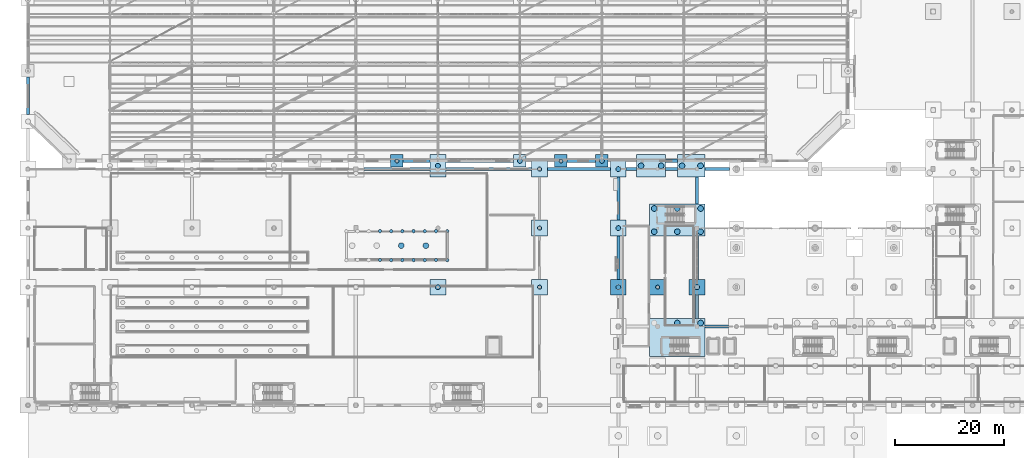
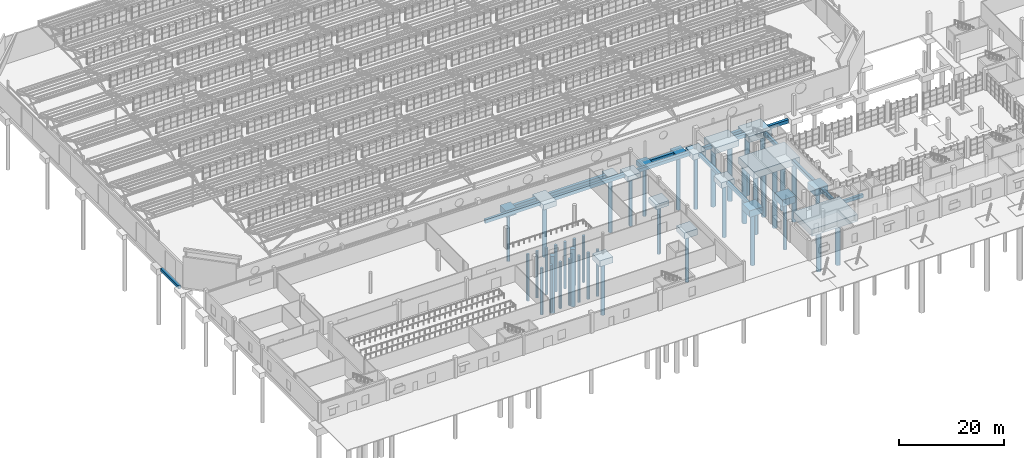
# One storey, part 3 of 285: 42 piles, 35 footings.
"""IFC4 building model written with IfcOpenShell, lengths in metres."""

from ifc_helpers import new_model, si_unit, direction, frame, origin, origin_2d, place, context, subcontext, project, spatial, polyline, circle, outline, extrude, material, material_profile, profile_set, type_object, element, save


model = new_model("IFC4")

# Units and contexts
model_context = context("Model", 3, precision=1e-05, world=origin(), true_north=direction((0.0, 1.0)))
body_context = subcontext(model_context, "Body", "Model", "MODEL_VIEW")
ifc_project = project(units=[si_unit("LENGTHUNIT", "METRE"), si_unit("AREAUNIT", "SQUARE_METRE"), si_unit("VOLUMEUNIT", "CUBIC_METRE"), si_unit("PLANEANGLEUNIT", "RADIAN"), si_unit("MASSUNIT", "GRAM", prefix="KILO")], contexts=[model_context])

# Site, building, storey
site_placement = place(None, origin())
site = spatial("IfcSite", under=ifc_project, at=site_placement, CompositionType="ELEMENT")
building_placement = place(site_placement, origin())
building = spatial("IfcBuilding", under=site, at=building_placement, Name="Solanera Park Tramway Depot", CompositionType="ELEMENT")
storey_placement = place(building_placement, origin())
storey = spatial("IfcBuildingStorey", under=building, at=storey_placement, Name="L00", CompositionType="ELEMENT", Elevation=0.0)

# Footings
ifc_material_1 = material(Name="Concrete N40 (C40/50)", Category="concrete")
footing_type_1 = type_object("IfcFootingType", Name="Bored Pile Cap PC-07 4200x2900x1250", PredefinedType="PILE_CAP", material=ifc_material_1)
footing_1_placement = place(storey_placement, frame((0.0, 0.0, -1.699951171875)))
element("IfcFooting", 1, at=footing_1_placement, inside=storey, type_object=footing_type_1, Name="Pile Cap PC-07 #104", PredefinedType="PILE_CAP", context=body_context, shape_type="SweptSolid", body=[
    extrude(outline(polyline([(76.449951171875, 52.550048828125), (76.449951171875, 56.64990234375), (73.550048828125, 56.64990234375), (73.550048828125, 52.550048828125), (76.449951171875, 52.550048828125)])), origin(), (0.0, 0.0, 1.0), 1.25),
])
ifc_material_2 = material(Name="Concrete N40 (C40/50)", Category="concrete")
footing_type_2 = type_object("IfcFootingType", Name="Bored Pile Cap PC-09 5200x3400x1400", PredefinedType="PILE_CAP", material=ifc_material_2)
footing_2_placement = place(storey_placement, frame((0.0, 0.0, -1.824951171875)))
element("IfcFooting", 2, at=footing_2_placement, inside=storey, type_object=footing_type_2, Name="Pile Cap PC-09 #062", PredefinedType="PILE_CAP", context=body_context, shape_type="SweptSolid", body=[
    extrude(outline(polyline([(76.449951171875, 30.949951171875), (76.449951171875, 33.85009765625), (73.550048828125, 33.85009765625), (73.550048828125, 30.949951171875), (76.449951171875, 30.949951171875)])), origin(), (0.0, 0.0, 1.0), 1.39990234375),
])
footing_3_placement = place(storey_placement, frame((0.0, 0.0, -1.85009765625)))
element("IfcFooting", 3, at=footing_3_placement, inside=storey, type_object=footing_type_2, Name="Pile Cap PC-09 #107", PredefinedType="PILE_CAP", context=body_context, shape_type="SweptSolid", body=[
    extrude(outline(polyline([(116.64990234375, 52.550048828125), (116.64990234375, 56.64990234375), (111.35009765625, 56.64990234375), (111.35009765625, 52.550048828125), (116.64990234375, 52.550048828125)])), origin(), (0.0, 0.0, 1.0), 1.400146484375),
])
footing_4_placement = place(storey_placement, frame((0.0, 0.0, -1.85009765625)))
element("IfcFooting", 4, at=footing_4_placement, inside=storey, type_object=footing_type_2, Name="Pile Cap PC-09 #108", PredefinedType="PILE_CAP", context=body_context, shape_type="SweptSolid", body=[
    extrude(outline(polyline([(123.85009765625, 52.550048828125), (123.85009765625, 56.64990234375), (118.85009765625, 56.64990234375), (118.85009765625, 52.550048828125), (123.85009765625, 52.550048828125)])), origin(), (0.0, 0.0, 1.0), 1.400146484375),
])
ifc_material_3 = material(Name="Concrete N40 (C40/50)", Category="concrete")
footing_type_3 = type_object("IfcFootingType", Name="Bored Pile Cap PC-10 5800x3800x1450", PredefinedType="PILE_CAP", material=ifc_material_3)
footing_5_placement = place(storey_placement, frame((0.0, 0.0, -1.875)))
element("IfcFooting", 5, at=footing_5_placement, inside=storey, type_object=footing_type_3, Name="Pile Cap PC-10 #063", PredefinedType="PILE_CAP", context=body_context, shape_type="SweptSolid", body=[
    extrude(outline(polyline([(95.050048828125, 30.949951171875), (95.050048828125, 33.85009765625), (92.14990234375, 33.85009765625), (92.14990234375, 30.949951171875), (95.050048828125, 30.949951171875)])), origin(), (0.0, 0.0, 1.0), 1.449951171875),
])
ifc_material_4 = material(Name="Concrete N40 (C40/50)", Category="concrete")
footing_type_4 = type_object("IfcFootingType", Name="Bored Pile Cap PC-11 6500x4200x1500", PredefinedType="PILE_CAP", material=ifc_material_4)
footing_6_placement = place(storey_placement, frame((0.0, 0.0, -1.85009765625)))
element("IfcFooting", 6, at=footing_6_placement, inside=storey, type_object=footing_type_4, Name="Pile Cap PC-11 #064", PredefinedType="PILE_CAP", context=body_context, shape_type="SweptSolid", body=[
    extrude(outline(polyline([(109.449951171875, 30.949951171875), (109.449951171875, 33.85009765625), (106.550048828125, 33.85009765625), (106.550048828125, 30.949951171875), (109.449951171875, 30.949951171875)])), origin(), (0.0, 0.0, 1.0), 1.5),
])
ifc_material_5 = material(Name="Concrete N40 (C40/50)", Category="concrete")
footing_type_5 = type_object("IfcFootingType", Name="Bored Pile Cap PC-12 7400x4500x1550", PredefinedType="PILE_CAP", material=ifc_material_5)
footing_7_placement = place(storey_placement, frame((0.0, 0.0, -1.89990234375)))
element("IfcFooting", 7, at=footing_7_placement, inside=storey, type_object=footing_type_5, Name="Pile Cap PC-12 #065", PredefinedType="PILE_CAP", context=body_context, shape_type="SweptSolid", body=[
    extrude(outline(polyline([(116.64990234375, 30.949951171875), (116.64990234375, 33.85009765625), (113.75, 33.85009765625), (113.75, 30.949951171875), (116.64990234375, 30.949951171875)])), origin(), (0.0, 0.0, 1.0), 1.5498046875),
])
ifc_material_6 = material(Name="Concrete N40 (C40/50)", Category="concrete")
footing_type_6 = type_object("IfcFootingType", Name="Bored Pile Cap PC-13 8400x4800x1600", PredefinedType="PILE_CAP", material=ifc_material_6)
footing_8_placement = place(storey_placement, frame((0.0, 0.0, -1.949951171875)))
element("IfcFooting", 8, at=footing_8_placement, inside=storey, type_object=footing_type_6, Name="Pile Cap PC-13 #066", PredefinedType="PILE_CAP", context=body_context, shape_type="SweptSolid", body=[
    extrude(outline(polyline([(123.85009765625, 30.949951171875), (123.85009765625, 33.85009765625), (120.949951171875, 33.85009765625), (120.949951171875, 30.949951171875), (123.85009765625, 30.949951171875)])), origin(), (0.0, 0.0, 1.0), 1.599853515625),
])
ifc_material_7 = material(Name="Concrete N40 (C40/50)", Category="concrete")
footing_type_7 = type_object("IfcFootingType", Name="Bored Pile Cap PC-14 9600x5200x1600", PredefinedType="PILE_CAP", material=ifc_material_7)
footing_9_placement = place(storey_placement, frame((0.0, 0.0, -1.949951171875)))
element("IfcFooting", 9, at=footing_9_placement, inside=storey, type_object=footing_type_7, Name="Pile Cap PC-14 #043", PredefinedType="PILE_CAP", context=body_context, shape_type="SweptSolid", body=[
    extrude(outline(polyline([(123.85009765625, 19.699951171875), (123.85009765625, 26.64990234375), (113.75, 26.64990234375), (113.75, 19.699951171875), (123.85009765625, 19.699951171875)])), origin(), (0.0, 0.0, 1.0), 1.599853515625),
])
footing_10_placement = place(storey_placement, frame((0.0, 0.0, -1.949951171875)))
element("IfcFooting", 10, at=footing_10_placement, inside=storey, type_object=footing_type_7, Name="Pile Cap PC-14 #089", PredefinedType="PILE_CAP", context=body_context, shape_type="SweptSolid", body=[
    extrude(outline(polyline([(123.85009765625, 41.75), (123.85009765625, 47.60009765625), (113.75, 47.60009765625), (113.75, 41.75), (123.85009765625, 41.75)])), origin(), (0.0, 0.0, 1.0), 1.599853515625),
])
footing_11_placement = place(storey_placement, frame((0.0, 0.0, -2.050048828125)))
element("IfcFooting", 11, at=footing_11_placement, inside=storey, type_object=footing_type_7, Name="Pile Cap PC-14 #121", PredefinedType="PILE_CAP", context=body_context, shape_type="SweptSolid", body=[
    extrude(outline(polyline([(68.64990234375, 54.35009765625), (68.64990234375, 56.64990234375), (66.35009765625, 56.64990234375), (66.35009765625, 54.35009765625), (68.64990234375, 54.35009765625)])), origin(), (0.0, 0.0, 1.0), 1.60009765625),
])
ifc_material_8 = material(Name="Concrete N40 (C40/50)", Category="concrete")
footing_type_8 = type_object("IfcFootingType", Name="Bored Pile Cap PC-15 2750x2750x1050", PredefinedType="PILE_CAP", material=ifc_material_8)
footing_12_placement = place(storey_placement, frame((0.0, 0.0, -1.5)))
element("IfcFooting", 12, at=footing_12_placement, inside=storey, type_object=footing_type_8, Name="Pile Cap PC-15 #122", PredefinedType="PILE_CAP", context=body_context, shape_type="SweptSolid", body=[
    extrude(outline(polyline([(91.14990234375, 54.35009765625), (91.14990234375, 56.64990234375), (88.85009765625, 56.64990234375), (88.85009765625, 54.35009765625), (91.14990234375, 54.35009765625)])), origin(), (0.0, 0.0, 1.0), 1.050048828125),
])
ifc_material_9 = material(Name="Concrete N40 (C40/50)", Category="concrete")
footing_type_9 = type_object("IfcFootingType", Name="Bored Pile Cap PC-16 3050x3050x1150", PredefinedType="PILE_CAP", material=ifc_material_9)
footing_13_placement = place(storey_placement, frame((0.0, 0.0, -1.574951171875)))
element("IfcFooting", 13, at=footing_13_placement, inside=storey, type_object=footing_type_9, Name="Pile Cap PC-16 #087", PredefinedType="PILE_CAP", context=body_context, shape_type="SweptSolid", body=[
    extrude(outline(polyline([(95.050048828125, 41.75), (95.050048828125, 44.64990234375), (92.14990234375, 44.64990234375), (92.14990234375, 41.75), (95.050048828125, 41.75)])), origin(), (0.0, 0.0, 1.0), 1.14990234375),
])
footing_14_placement = place(storey_placement, frame((0.0, 0.0, -1.574951171875)))
element("IfcFooting", 14, at=footing_14_placement, inside=storey, type_object=footing_type_9, Name="Pile Cap PC-16 #105", PredefinedType="PILE_CAP", context=body_context, shape_type="SweptSolid", body=[
    extrude(outline(polyline([(95.050048828125, 52.550048828125), (95.050048828125, 55.449951171875), (92.14990234375, 55.449951171875), (92.14990234375, 52.550048828125), (95.050048828125, 52.550048828125)])), origin(), (0.0, 0.0, 1.0), 1.14990234375),
])
footing_15_placement = place(storey_placement, frame((0.0, 0.0, -1.60009765625)))
element("IfcFooting", 15, at=footing_15_placement, inside=storey, type_object=footing_type_9, Name="Pile Cap PC-16 #123", PredefinedType="PILE_CAP", context=body_context, shape_type="SweptSolid", body=[
    extrude(outline(polyline([(98.64990234375, 54.35009765625), (98.64990234375, 56.64990234375), (96.35009765625, 56.64990234375), (96.35009765625, 54.35009765625), (98.64990234375, 54.35009765625)])), origin(), (0.0, 0.0, 1.0), 1.150146484375),
])
ifc_material_10 = material(Name="Concrete N40 (C40/50)", Category="concrete")
footing_type_10 = type_object("IfcFootingType", Name="Bored Pile Cap PC-17 4900x3100x1300", PredefinedType="PILE_CAP", material=ifc_material_10)
footing_16_placement = place(storey_placement, frame((0.0, 0.0, -1.64990234375)))
element("IfcFooting", 16, at=footing_16_placement, inside=storey, type_object=footing_type_10, Name="Pile Cap PC-17 #088", PredefinedType="PILE_CAP", context=body_context, shape_type="SweptSolid", body=[
    extrude(outline(polyline([(109.449951171875, 41.75), (109.449951171875, 44.64990234375), (106.550048828125, 44.64990234375), (106.550048828125, 41.75), (109.449951171875, 41.75)])), origin(), (0.0, 0.0, 1.0), 1.2998046875),
])
footing_17_placement = place(storey_placement, frame((0.0, 0.0, -1.64990234375)))
element("IfcFooting", 17, at=footing_17_placement, inside=storey, type_object=footing_type_10, Name="Pile Cap PC-17 #106", PredefinedType="PILE_CAP", context=body_context, shape_type="SweptSolid", body=[
    extrude(outline(polyline([(109.449951171875, 52.550048828125), (109.449951171875, 55.449951171875), (106.550048828125, 55.449951171875), (106.550048828125, 52.550048828125), (109.449951171875, 52.550048828125)])), origin(), (0.0, 0.0, 1.0), 1.2998046875),
])
footing_18_placement = place(storey_placement, frame((0.0, 0.0, -1.75)))
element("IfcFooting", 18, at=footing_18_placement, inside=storey, type_object=footing_type_10, Name="Pile Cap PC-17 #124", PredefinedType="PILE_CAP", context=body_context, shape_type="SweptSolid", body=[
    extrude(outline(polyline([(106.14990234375, 54.35009765625), (106.14990234375, 56.64990234375), (103.85009765625, 56.64990234375), (103.85009765625, 54.35009765625), (106.14990234375, 54.35009765625)])), origin(), (0.0, 0.0, 1.0), 1.300048828125),
])
ifc_material_11 = material(Name="Concrete N40 (C40/50)", Category="concrete")
footing_type_11 = type_object("IfcFootingType", Name="Ground Tie Beam GB-02 550x750", PredefinedType="FOOTING_BEAM", material=ifc_material_11)
footing_19_placement = place(storey_placement, frame((0.0, 0.0, -1.10009765625)))
element("IfcFooting", 19, at=footing_19_placement, inside=storey, type_object=footing_type_11, Name="Ground Tie Beam GB-02 #020", PredefinedType="FOOTING_BEAM", context=body_context, shape_type="SweptSolid", body=[
    extrude(outline(polyline([(128.14990234375, 24.925048828125), (128.14990234375, 25.47509765625), (123.85009765625, 25.47509765625), (123.85009765625, 24.925048828125), (128.14990234375, 24.925048828125)])), origin(), (0.0, 0.0, 1.0), 0.75),
])
footing_20_placement = place(storey_placement, frame((0.0, 0.0, -1.199951171875)))
element("IfcFooting", 20, at=footing_20_placement, inside=storey, type_object=footing_type_11, Name="Ground Tie Beam GB-02 #110", PredefinedType="FOOTING_BEAM", context=body_context, shape_type="SweptSolid", body=[
    extrude(outline(polyline([(0.27490234375, 64.0), (0.27490234375, 70.85009765625), (-0.27490234375, 70.85009765625), (-0.27490234375, 64.0), (0.27490234375, 64.0)])), origin(), (0.0, 0.0, 1.0), 0.75),
])
footing_21_placement = place(storey_placement, frame((0.0, 0.0, -1.10009765625)))
element("IfcFooting", 21, at=footing_21_placement, inside=storey, type_object=footing_type_11, Name="Ground Tie Beam GB-02 #122", PredefinedType="FOOTING_BEAM", context=body_context, shape_type="SweptSolid", body=[
    extrude(outline(polyline([(108.27490234375, 33.85009765625), (108.27490234375, 41.75), (107.72509765625, 41.75), (107.72509765625, 33.85009765625), (108.27490234375, 33.85009765625)])), origin(), (0.0, 0.0, 1.0), 0.75),
])
footing_22_placement = place(storey_placement, frame((0.0, 0.0, -1.10009765625)))
element("IfcFooting", 22, at=footing_22_placement, inside=storey, type_object=footing_type_11, Name="Ground Tie Beam GB-02 #123", PredefinedType="FOOTING_BEAM", context=body_context, shape_type="SweptSolid", body=[
    extrude(outline(polyline([(108.27490234375, 44.64990234375), (108.27490234375, 52.550048828125), (107.72509765625, 52.550048828125), (107.72509765625, 44.64990234375), (108.27490234375, 44.64990234375)])), origin(), (0.0, 0.0, 1.0), 0.75),
])
ifc_material_12 = material(Name="Concrete N40 (C40/50)", Category="concrete")
footing_type_12 = type_object("IfcFootingType", Name="Ground Tie Beam GB-03 600x800", PredefinedType="FOOTING_BEAM", material=ifc_material_12)
footing_23_placement = place(storey_placement, frame((0.0, 0.0, -1.25)))
element("IfcFooting", 23, at=footing_23_placement, inside=storey, type_object=footing_type_12, Name="Ground Tie Beam GB-03 #031", PredefinedType="FOOTING_BEAM", context=body_context, shape_type="SweptSolid", body=[
    extrude(outline(polyline([(73.550048828125, 53.699951171875), (73.550048828125, 54.300048828125), (61.449951171875, 54.300048828125), (61.449951171875, 53.699951171875), (73.550048828125, 53.699951171875)])), origin(), (0.0, 0.0, 1.0), 0.800048828125),
])
footing_24_placement = place(storey_placement, frame((0.0, 0.0, -1.25)))
element("IfcFooting", 24, at=footing_24_placement, inside=storey, type_object=footing_type_12, Name="Ground Tie Beam GB-03 #032", PredefinedType="FOOTING_BEAM", context=body_context, shape_type="SweptSolid", body=[
    extrude(outline(polyline([(92.14990234375, 53.699951171875), (92.14990234375, 54.300048828125), (76.449951171875, 54.300048828125), (76.449951171875, 53.699951171875), (92.14990234375, 53.699951171875)])), origin(), (0.0, 0.0, 1.0), 0.800048828125),
])
footing_25_placement = place(storey_placement, frame((0.0, 0.0, -1.22509765625)))
element("IfcFooting", 25, at=footing_25_placement, inside=storey, type_object=footing_type_12, Name="Ground Tie Beam GB-03 #033", PredefinedType="FOOTING_BEAM", context=body_context, shape_type="SweptSolid", body=[
    extrude(outline(polyline([(106.550048828125, 53.699951171875), (106.550048828125, 54.300048828125), (95.050048828125, 54.300048828125), (95.050048828125, 53.699951171875), (106.550048828125, 53.699951171875)])), origin(), (0.0, 0.0, 1.0), 0.800048828125),
])
footing_26_placement = place(storey_placement, frame((0.0, 0.0, -1.25)))
element("IfcFooting", 26, at=footing_26_placement, inside=storey, type_object=footing_type_12, Name="Ground Tie Beam GB-03 #034", PredefinedType="FOOTING_BEAM", context=body_context, shape_type="SweptSolid", body=[
    extrude(outline(polyline([(111.35009765625, 53.699951171875), (111.35009765625, 54.300048828125), (109.449951171875, 54.300048828125), (109.449951171875, 53.699951171875), (111.35009765625, 53.699951171875)])), origin(), (0.0, 0.0, 1.0), 0.800048828125),
])
footing_27_placement = place(storey_placement, frame((0.0, 0.0, -1.25)))
element("IfcFooting", 27, at=footing_27_placement, inside=storey, type_object=footing_type_12, Name="Ground Tie Beam GB-03 #035", PredefinedType="FOOTING_BEAM", context=body_context, shape_type="SweptSolid", body=[
    extrude(outline(polyline([(118.85009765625, 53.699951171875), (118.85009765625, 54.300048828125), (116.64990234375, 54.300048828125), (116.64990234375, 53.699951171875), (118.85009765625, 53.699951171875)])), origin(), (0.0, 0.0, 1.0), 0.800048828125),
])
footing_28_placement = place(storey_placement, frame((0.0, 0.0, -1.25)))
element("IfcFooting", 28, at=footing_28_placement, inside=storey, type_object=footing_type_12, Name="Ground Tie Beam GB-03 #036", PredefinedType="FOOTING_BEAM", context=body_context, shape_type="SweptSolid", body=[
    extrude(outline(polyline([(128.300048828125, 53.699951171875), (128.300048828125, 54.300048828125), (123.85009765625, 54.300048828125), (123.85009765625, 53.699951171875), (128.300048828125, 53.699951171875)])), origin(), (0.0, 0.0, 1.0), 0.800048828125),
])
footing_29_placement = place(storey_placement, frame((0.0, 0.0, -1.14990234375)))
element("IfcFooting", 29, at=footing_29_placement, inside=storey, type_object=footing_type_12, Name="Ground Tie Beam GB-03 #125", PredefinedType="FOOTING_BEAM", context=body_context, shape_type="SweptSolid", body=[
    extrude(outline(polyline([(122.699951171875, 26.64990234375), (122.699951171875, 30.949951171875), (122.10009765625, 30.949951171875), (122.10009765625, 26.64990234375), (122.699951171875, 26.64990234375)])), origin(), (0.0, 0.0, 1.0), 0.7998046875),
])
footing_30_placement = place(storey_placement, frame((0.0, 0.0, -1.14990234375)))
element("IfcFooting", 30, at=footing_30_placement, inside=storey, type_object=footing_type_12, Name="Ground Tie Beam GB-03 #126", PredefinedType="FOOTING_BEAM", context=body_context, shape_type="SweptSolid", body=[
    extrude(outline(polyline([(122.699951171875, 33.85009765625), (122.699951171875, 41.75), (122.10009765625, 41.75), (122.10009765625, 33.85009765625), (122.699951171875, 33.85009765625)])), origin(), (0.0, 0.0, 1.0), 0.7998046875),
])
footing_31_placement = place(storey_placement, frame((0.0, 0.0, -1.25)))
element("IfcFooting", 31, at=footing_31_placement, inside=storey, type_object=footing_type_12, Name="Ground Tie Beam GB-03 #127", PredefinedType="FOOTING_BEAM", context=body_context, shape_type="SweptSolid", body=[
    extrude(outline(polyline([(122.699951171875, 47.60009765625), (122.699951171875, 52.550048828125), (122.10009765625, 52.550048828125), (122.10009765625, 47.60009765625), (122.699951171875, 47.60009765625)])), origin(), (0.0, 0.0, 1.0), 0.800048828125),
])
ifc_material_13 = material(Name="Concrete N40 (C40/50)", Category="concrete")
footing_type_13 = type_object("IfcFootingType", Name="Ground Tie Beam GB-04 650x850", PredefinedType="FOOTING_BEAM", material=ifc_material_13)
footing_32_placement = place(storey_placement, frame((0.0, 0.0, -1.300048828125)))
element("IfcFooting", 32, at=footing_32_placement, inside=storey, type_object=footing_type_13, Name="Ground Tie Beam GB-04 #051", PredefinedType="FOOTING_BEAM", context=body_context, shape_type="SweptSolid", body=[
    extrude(outline(polyline([(73.550048828125, 55.175048828125), (73.550048828125, 55.824951171875), (68.64990234375, 55.824951171875), (68.64990234375, 55.175048828125), (73.550048828125, 55.175048828125)])), origin(), (0.0, 0.0, 1.0), 0.85009765625),
])
footing_33_placement = place(storey_placement, frame((0.0, 0.0, -1.300048828125)))
element("IfcFooting", 33, at=footing_33_placement, inside=storey, type_object=footing_type_13, Name="Ground Tie Beam GB-04 #052", PredefinedType="FOOTING_BEAM", context=body_context, shape_type="SweptSolid", body=[
    extrude(outline(polyline([(88.85009765625, 55.175048828125), (88.85009765625, 55.824951171875), (76.449951171875, 55.824951171875), (76.449951171875, 55.175048828125), (88.85009765625, 55.175048828125)])), origin(), (0.0, 0.0, 1.0), 0.85009765625),
])
footing_34_placement = place(storey_placement, frame((0.0, 0.0, -1.300048828125)))
element("IfcFooting", 34, at=footing_34_placement, inside=storey, type_object=footing_type_13, Name="Ground Tie Beam GB-04 #053", PredefinedType="FOOTING_BEAM", context=body_context, shape_type="SweptSolid", body=[
    extrude(outline(polyline([(103.85009765625, 55.175048828125), (103.85009765625, 55.824951171875), (98.64990234375, 55.824951171875), (98.64990234375, 55.175048828125), (103.85009765625, 55.175048828125)])), origin(), (0.0, 0.0, 1.0), 0.85009765625),
])
footing_35_placement = place(storey_placement, frame((0.0, 0.0, -1.300048828125)))
element("IfcFooting", 35, at=footing_35_placement, inside=storey, type_object=footing_type_13, Name="Ground Tie Beam GB-04 #054", PredefinedType="FOOTING_BEAM", context=body_context, shape_type="SweptSolid", body=[
    extrude(outline(polyline([(118.85009765625, 55.175048828125), (118.85009765625, 55.824951171875), (116.64990234375, 55.824951171875), (116.64990234375, 55.175048828125), (118.85009765625, 55.175048828125)])), origin(), (0.0, 0.0, 1.0), 0.85009765625),
])

# Piles
ifc_material_14 = material(Name="Concrete N40 (C40/50)", Category="concrete")
ifc_material_profile_1 = material_profile(ifc_material_14, circle(Radius=0.52490234375, at=origin_2d()), Name="BORED PILE 1050")
ifc_profile_set_1 = profile_set([ifc_material_profile_1], Name="Concrete N40 (C40/50)")
pile_type_1 = type_object("IfcPileType", Name="Rock Socketed BORED PILE 1050", PredefinedType="BORED", material=ifc_profile_set_1)
for number, where, z_axis, x_axis, name in (
    (36, (118.800048828125, 25.844970703125, -1.85009765625), (0.0, 0.0, -1.0), (1.0, 0.0, 0.0), "Bored Pile BORED PILE 1050 #0057"),
    (37, (123.044921875, 25.844970703125, -1.85009765625), (0.0, 0.0, -1.0), (1.0, 0.0, 0.0), "Bored Pile BORED PILE 1050 #0058"),
    (38, (114.554931640625, 42.554931640625, -1.85009765625), (0.0, 0.0, -1.0), (1.0, 0.0, 0.0), "Bored Pile BORED PILE 1050 #0114"),
    (39, (114.554931640625, 46.794921875, -1.85009765625), (0.0, 0.0, -1.0), (1.0, 0.0, 0.0), "Bored Pile BORED PILE 1050 #0115"),
    (40, (118.800048828125, 42.554931640625, -1.85009765625), (0.0, 0.0, -1.0), (1.0, 0.0, 0.0), "Bored Pile BORED PILE 1050 #0116"),
    (41, (118.800048828125, 46.794921875, -1.85009765625), (0.0, 0.0, -1.0), (1.0, 0.0, 0.0), "Bored Pile BORED PILE 1050 #0117"),
    (42, (123.044921875, 42.554931640625, -1.85009765625), (0.0, 0.0, -1.0), (1.0, 0.0, 0.0), "Bored Pile BORED PILE 1050 #0118"),
    (43, (123.044921875, 46.794921875, -1.85009765625), (0.0, 0.0, -1.0), (1.0, 0.0, 0.0), "Bored Pile BORED PILE 1050 #0119"),
):
    element("IfcPile", number, at=place(storey_placement, frame(where, z_axis=z_axis, x_axis=x_axis)), inside=storey, type_object=pile_type_1, Name=name, PredefinedType="BORED", context=body_context, shape_type="SweptSolid", body=[
        extrude(circle(Radius=0.52490234375, at=origin_2d()), origin(), (0.0, 0.0, 1.0), 13.550048828125),
    ])
for number, where, z_axis, x_axis, name in (
    (44, (112.155029296875, 54.60009765625, -1.75), (0.0, 0.0, -1.0), (1.0, 0.0, 0.0), "Bored Pile BORED PILE 1050 #0144"),
    (45, (115.844970703125, 54.60009765625, -1.75), (0.0, 0.0, -1.0), (1.0, 0.0, 0.0), "Bored Pile BORED PILE 1050 #0145"),
    (46, (119.655029296875, 54.60009765625, -1.75), (0.0, 0.0, -1.0), (1.0, 0.0, 0.0), "Bored Pile BORED PILE 1050 #0146"),
    (47, (123.044921875, 54.60009765625, -1.75), (0.0, 0.0, -1.0), (1.0, 0.0, 0.0), "Bored Pile BORED PILE 1050 #0147"),
):
    element("IfcPile", number, at=place(storey_placement, frame(where, z_axis=z_axis, x_axis=x_axis)), inside=storey, type_object=pile_type_1, Name=name, PredefinedType="BORED", context=body_context, shape_type="SweptSolid", body=[
        extrude(circle(Radius=0.52490234375, at=origin_2d()), origin(), (0.0, 0.0, 1.0), 13.64990234375),
    ])
for number, where, z_axis, x_axis, name in (
    (48, (68.300048828125, 40.0, -2.64990234375), (0.0, 0.0, -1.0), (1.0, 0.0, 0.0), "Pit Tension/Compression Bored Pile #0284"),
    (49, (72.800048828125, 40.0, -2.64990234375), (0.0, 0.0, -1.0), (1.0, 0.0, 0.0), "Pit Tension/Compression Bored Pile #0285"),
):
    element("IfcPile", number, at=place(storey_placement, frame(where, z_axis=z_axis, x_axis=x_axis)), inside=storey, type_object=pile_type_1, Name=name, PredefinedType="BORED", context=body_context, shape_type="SweptSolid", body=[
        extrude(circle(Radius=0.52490234375, at=origin_2d()), origin(), (0.0, 0.0, 1.0), 13.35009765625),
    ])
ifc_material_15 = material(Name="Concrete N40 (C40/50)", Category="concrete")
ifc_material_profile_2 = material_profile(ifc_material_15, circle(Radius=0.300048828125, at=origin_2d()), Name="BORED PILE 600")
ifc_profile_set_2 = profile_set([ifc_material_profile_2], Name="Concrete N40 (C40/50)")
pile_type_2 = type_object("IfcPileType", Name="Rock Socketed BORED PILE 600", PredefinedType="SUPPORT", material=ifc_profile_set_2)
for number, where, z_axis, x_axis, name in (
    (50, (64.39990234375, 37.35009765625, -2.64990234375), (0.0, 0.0, -1.0), (1.0, 0.0, 0.0), "Wheel-Lathe Pit Support Pile #007"),
    (51, (64.39990234375, 42.64990234375, -2.64990234375), (0.0, 0.0, -1.0), (1.0, 0.0, 0.0), "Wheel-Lathe Pit Support Pile #008"),
    (52, (66.449951171875, 37.35009765625, -2.64990234375), (0.0, 0.0, -1.0), (1.0, 0.0, 0.0), "Wheel-Lathe Pit Support Pile #009"),
    (53, (66.449951171875, 42.64990234375, -2.64990234375), (0.0, 0.0, -1.0), (1.0, 0.0, 0.0), "Wheel-Lathe Pit Support Pile #010"),
    (54, (68.5, 37.35009765625, -2.64990234375), (0.0, 0.0, -1.0), (1.0, 0.0, 0.0), "Wheel-Lathe Pit Support Pile #011"),
    (55, (68.5, 42.64990234375, -2.64990234375), (0.0, 0.0, -1.0), (1.0, 0.0, 0.0), "Wheel-Lathe Pit Support Pile #012"),
    (56, (70.550048828125, 37.35009765625, -2.64990234375), (0.0, 0.0, -1.0), (1.0, 0.0, 0.0), "Wheel-Lathe Pit Support Pile #013"),
    (57, (70.550048828125, 42.64990234375, -2.64990234375), (0.0, 0.0, -1.0), (1.0, 0.0, 0.0), "Wheel-Lathe Pit Support Pile #014"),
    (58, (72.60009765625, 37.35009765625, -2.64990234375), (0.0, 0.0, -1.0), (1.0, 0.0, 0.0), "Wheel-Lathe Pit Support Pile #015"),
    (59, (72.60009765625, 42.64990234375, -2.64990234375), (0.0, 0.0, -1.0), (1.0, 0.0, 0.0), "Wheel-Lathe Pit Support Pile #016"),
    (60, (74.64990234375, 37.35009765625, -2.64990234375), (0.0, 0.0, -1.0), (1.0, 0.0, 0.0), "Wheel-Lathe Pit Support Pile #017"),
    (61, (74.64990234375, 42.64990234375, -2.64990234375), (0.0, 0.0, -1.0), (1.0, 0.0, 0.0), "Wheel-Lathe Pit Support Pile #018"),
    (62, (76.699951171875, 37.35009765625, -2.64990234375), (0.0, 0.0, -1.0), (1.0, 0.0, 0.0), "Wheel-Lathe Pit Support Pile #019"),
    (63, (76.699951171875, 42.64990234375, -2.64990234375), (0.0, 0.0, -1.0), (1.0, 0.0, 0.0), "Wheel-Lathe Pit Support Pile #020"),
):
    element("IfcPile", number, at=place(storey_placement, frame(where, z_axis=z_axis, x_axis=x_axis)), inside=storey, type_object=pile_type_2, Name=name, PredefinedType="SUPPORT", context=body_context, shape_type="SweptSolid", body=[
        extrude(circle(Radius=0.300048828125, at=origin_2d()), origin(), (0.0, 0.0, 1.0), 10.85009765625),
    ])
ifc_material_16 = material(Name="Concrete N40 (C40/50)", Category="concrete")
ifc_material_profile_3 = material_profile(ifc_material_16, circle(Radius=0.375, at=origin_2d()), Name="BORED PILE 750")
ifc_profile_set_3 = profile_set([ifc_material_profile_3], Name="Concrete N40 (C40/50)")
pile_type_3 = type_object("IfcPileType", Name="Rock Socketed BORED PILE 750", PredefinedType="BORED", material=ifc_profile_set_3)
pile_1_placement = place(storey_placement, frame((93.60009765625, 32.39990234375, -1.77490234375), z_axis=(0.0, 0.0, -1.0), x_axis=(1.0, 0.0, 0.0)))
element("IfcPile", 64, at=pile_1_placement, inside=storey, type_object=pile_type_3, Name="Bored Pile BORED PILE 750 #0090", PredefinedType="BORED", context=body_context, shape_type="SweptSolid", body=[
    extrude(circle(Radius=0.375, at=origin_2d()), origin(), (0.0, 0.0, 1.0), 11.324951171875),
])
pile_2_placement = place(storey_placement, frame((115.199951171875, 32.39990234375, -1.800048828125), z_axis=(0.0, 0.0, -1.0), x_axis=(1.0, 0.0, 0.0)))
element("IfcPile", 65, at=pile_2_placement, inside=storey, type_object=pile_type_3, Name="Bored Pile BORED PILE 750 #0092", PredefinedType="BORED", context=body_context, shape_type="SweptSolid", body=[
    extrude(circle(Radius=0.375, at=origin_2d()), origin(), (0.0, 0.0, 1.0), 11.300048828125),
])
for number, where, z_axis, x_axis, name in (
    (66, (93.60009765625, 43.199951171875, -1.47509765625), (0.0, 0.0, -1.0), (1.0, 0.0, 0.0), "Bored Pile BORED PILE 750 #0112"),
    (67, (93.60009765625, 54.0, -1.47509765625), (0.0, 0.0, -1.0), (1.0, 0.0, 0.0), "Bored Pile BORED PILE 750 #0142"),
):
    element("IfcPile", number, at=place(storey_placement, frame(where, z_axis=z_axis, x_axis=x_axis)), inside=storey, type_object=pile_type_3, Name=name, PredefinedType="BORED", context=body_context, shape_type="SweptSolid", body=[
        extrude(circle(Radius=0.375, at=origin_2d()), origin(), (0.0, 0.0, 1.0), 11.625),
    ])
pile_3_placement = place(storey_placement, frame((67.5, 55.5, -1.949951171875), z_axis=(0.0, 0.0, -1.0), x_axis=(1.0, 0.0, 0.0)))
element("IfcPile", 68, at=pile_3_placement, inside=storey, type_object=pile_type_3, Name="Bored Pile BORED PILE 750 #0164", PredefinedType="BORED", context=body_context, shape_type="SweptSolid", body=[
    extrude(circle(Radius=0.375, at=origin_2d()), origin(), (0.0, 0.0, 1.0), 11.14990234375),
])
pile_4_placement = place(storey_placement, frame((97.5, 55.5, -1.5), z_axis=(0.0, 0.0, -1.0), x_axis=(1.0, 0.0, 0.0)))
element("IfcPile", 69, at=pile_4_placement, inside=storey, type_object=pile_type_3, Name="Bored Pile BORED PILE 750 #0166", PredefinedType="BORED", context=body_context, shape_type="SweptSolid", body=[
    extrude(circle(Radius=0.375, at=origin_2d()), origin(), (0.0, 0.0, 1.0), 11.60009765625),
])
ifc_material_17 = material(Name="Concrete N40 (C40/50)", Category="concrete")
ifc_material_profile_4 = material_profile(ifc_material_17, circle(Radius=0.449951171875, at=origin_2d()), Name="BORED PILE 900")
ifc_profile_set_4 = profile_set([ifc_material_profile_4], Name="Concrete N40 (C40/50)")
pile_type_4 = type_object("IfcPileType", Name="Rock Socketed BORED PILE 900", PredefinedType="BORED", material=ifc_profile_set_4)
pile_5_placement = place(storey_placement, frame((75.0, 32.39990234375, -1.72509765625), z_axis=(0.0, 0.0, -1.0), x_axis=(1.0, 0.0, 0.0)))
element("IfcPile", 70, at=pile_5_placement, inside=storey, type_object=pile_type_4, Name="Bored Pile BORED PILE 900 #0089", PredefinedType="BORED", context=body_context, shape_type="SweptSolid", body=[
    extrude(circle(Radius=0.449951171875, at=origin_2d()), origin(), (0.0, 0.0, 1.0), 12.47509765625),
])
pile_6_placement = place(storey_placement, frame((108.0, 32.39990234375, -1.75), z_axis=(0.0, 0.0, -1.0), x_axis=(1.0, 0.0, 0.0)))
element("IfcPile", 71, at=pile_6_placement, inside=storey, type_object=pile_type_4, Name="Bored Pile BORED PILE 900 #0091", PredefinedType="BORED", context=body_context, shape_type="SweptSolid", body=[
    extrude(circle(Radius=0.449951171875, at=origin_2d()), origin(), (0.0, 0.0, 1.0), 12.449951171875),
])
pile_7_placement = place(storey_placement, frame((122.39990234375, 32.39990234375, -1.85009765625), z_axis=(0.0, 0.0, -1.0), x_axis=(1.0, 0.0, 0.0)))
element("IfcPile", 72, at=pile_7_placement, inside=storey, type_object=pile_type_4, Name="Bored Pile BORED PILE 900 #0093", PredefinedType="BORED", context=body_context, shape_type="SweptSolid", body=[
    extrude(circle(Radius=0.449951171875, at=origin_2d()), origin(), (0.0, 0.0, 1.0), 12.35009765625),
])
pile_8_placement = place(storey_placement, frame((108.0, 43.199951171875, -1.550048828125), z_axis=(0.0, 0.0, -1.0), x_axis=(1.0, 0.0, 0.0)))
element("IfcPile", 73, at=pile_8_placement, inside=storey, type_object=pile_type_4, Name="Bored Pile BORED PILE 900 #0113", PredefinedType="BORED", context=body_context, shape_type="SweptSolid", body=[
    extrude(circle(Radius=0.449951171875, at=origin_2d()), origin(), (0.0, 0.0, 1.0), 12.64990234375),
])
pile_9_placement = place(storey_placement, frame((75.0, 54.60009765625, -1.60009765625), z_axis=(0.0, 0.0, -1.0), x_axis=(1.0, 0.0, 0.0)))
element("IfcPile", 74, at=pile_9_placement, inside=storey, type_object=pile_type_4, Name="Bored Pile BORED PILE 900 #0141", PredefinedType="BORED", context=body_context, shape_type="SweptSolid", body=[
    extrude(circle(Radius=0.449951171875, at=origin_2d()), origin(), (0.0, 0.0, 1.0), 12.60009765625),
])
pile_10_placement = place(storey_placement, frame((108.0, 54.0, -1.550048828125), z_axis=(0.0, 0.0, -1.0), x_axis=(1.0, 0.0, 0.0)))
element("IfcPile", 75, at=pile_10_placement, inside=storey, type_object=pile_type_4, Name="Bored Pile BORED PILE 900 #0143", PredefinedType="BORED", context=body_context, shape_type="SweptSolid", body=[
    extrude(circle(Radius=0.449951171875, at=origin_2d()), origin(), (0.0, 0.0, 1.0), 12.64990234375),
])
pile_11_placement = place(storey_placement, frame((90.0, 55.5, -1.39990234375), z_axis=(0.0, 0.0, -1.0), x_axis=(1.0, 0.0, 0.0)))
element("IfcPile", 76, at=pile_11_placement, inside=storey, type_object=pile_type_4, Name="Bored Pile BORED PILE 900 #0165", PredefinedType="BORED", context=body_context, shape_type="SweptSolid", body=[
    extrude(circle(Radius=0.449951171875, at=origin_2d()), origin(), (0.0, 0.0, 1.0), 12.800048828125),
])
pile_12_placement = place(storey_placement, frame((105.0, 55.5, -1.64990234375), z_axis=(0.0, 0.0, -1.0), x_axis=(1.0, 0.0, 0.0)))
element("IfcPile", 77, at=pile_12_placement, inside=storey, type_object=pile_type_4, Name="Bored Pile BORED PILE 900 #0167", PredefinedType="BORED", context=body_context, shape_type="SweptSolid", body=[
    extrude(circle(Radius=0.449951171875, at=origin_2d()), origin(), (0.0, 0.0, 1.0), 12.550048828125),
])

save(model, "model.ifc")
